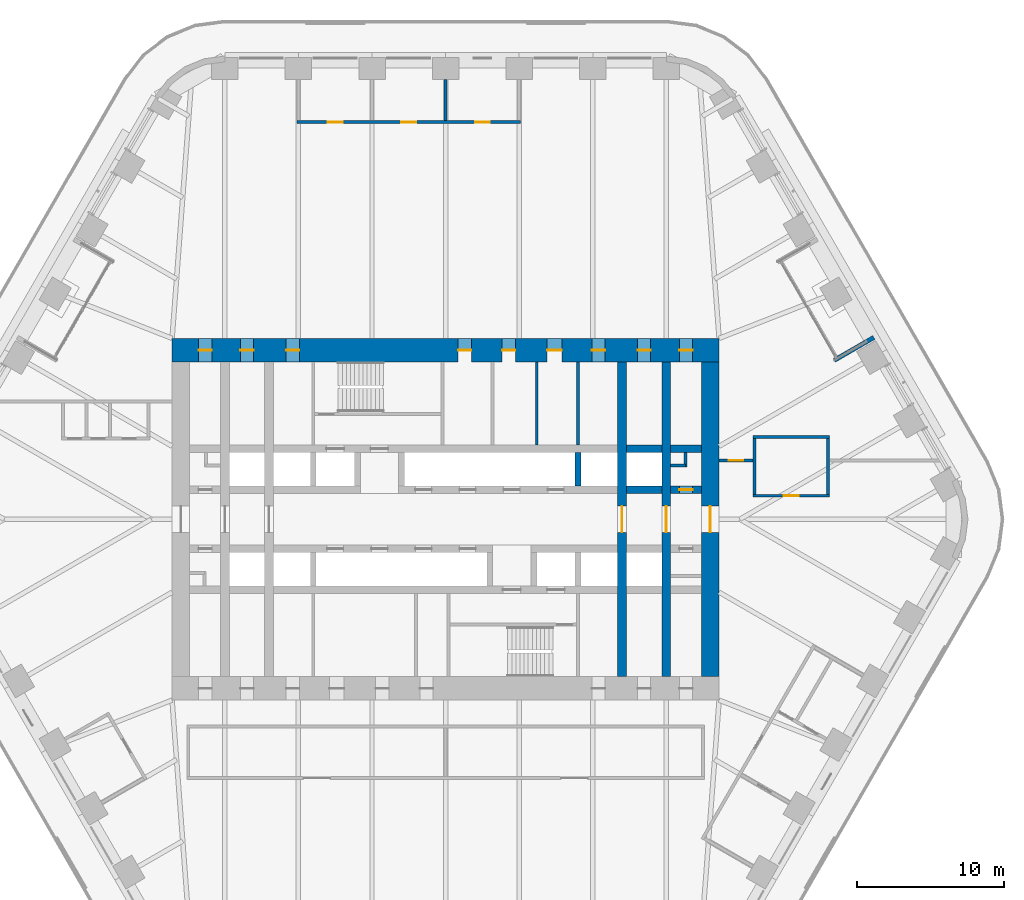
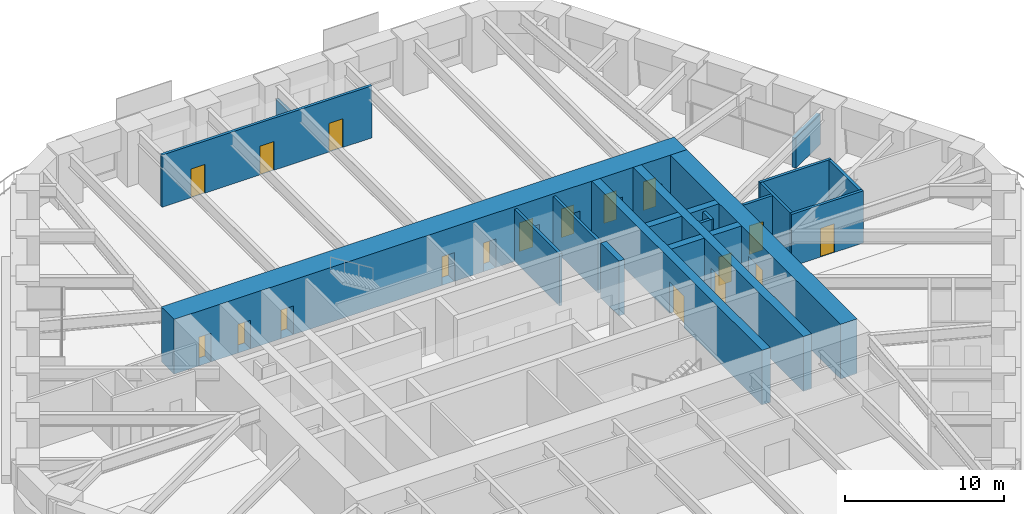
# One storey, part 20 of 24: 21 walls, 18 doors, 18 openings.
"""IFC4 building model written with IfcOpenShell, lengths in metres."""

from ifc_helpers import new_model, si_unit, direction, frame, frame_2d, origin, place, context, subcontext, project, spatial, rectangle, extrude, material, layer, layer_set, type_object, element, fill, save


model = new_model("IFC4")

# Units and contexts
model_context = context("Model", 3, precision=1e-05, world=origin(), true_north=direction((0.0, 1.0)))
body_context = subcontext(model_context, "Body", "Model", "MODEL_VIEW")
ifc_project = project(units=[si_unit("LENGTHUNIT", "METRE"), si_unit("AREAUNIT", "SQUARE_METRE"), si_unit("VOLUMEUNIT", "CUBIC_METRE"), si_unit("PLANEANGLEUNIT", "RADIAN"), si_unit("MASSUNIT", "GRAM", prefix="KILO")], contexts=[model_context])

# Site, building, storey
site_placement = place(None, origin())
site = spatial("IfcSite", under=ifc_project, at=site_placement, CompositionType="ELEMENT")
building_placement = place(site_placement, origin())
building = spatial("IfcBuilding", under=site, at=building_placement, Name="Tarfa Lantern Tower", CompositionType="ELEMENT")
storey_placement = place(building_placement, frame((0.0, 0.0, 127.89990234375)))
storey = spatial("IfcBuildingStorey", under=building, at=storey_placement, Name="L28", CompositionType="ELEMENT", Elevation=127.89990234375)

# Walls
ifc_material_1 = material(Name="Limestone cladding on blockwork", Category="masonry")
ifc_layer_1 = layer(ifc_material_1, 0.300048828125)
ifc_layer_set_1 = layer_set([ifc_layer_1], Name="EW1 STONE-CLAD WALL 300")
wall_type_1 = type_object("IfcWallType", Name="EW1 STONE-CLAD WALL 300", PredefinedType="SOLIDWALL", material=ifc_layer_set_1)
wall_1_placement = place(storey_placement, frame((29.1201171875, 12.362548828125, 0.0), z_axis=(0.0, 0.0, 1.0), x_axis=(-0.86602952684, -0.49999285859, 0.0)))
element("IfcWall", 1, at=wall_1_placement, inside=storey, type_object=wall_type_1, Name="Loggia return NE 1", PredefinedType="SOLIDWALL", context=body_context, shape_type="SweptSolid", body=[
    extrude(rectangle(XDim=3.10009765625, YDim=0.300048828125, at=frame_2d((1.550048828125, 0.0))), origin(), (0.0, 0.0, 1.0), 2.300048828125),
])
ifc_material_2 = material(Name="Concrete blockwork", Category="masonry")
ifc_layer_2 = layer(ifc_material_2, 0.199951171875)
ifc_layer_set_2 = layer_set([ifc_layer_2], Name="IW1 BLOCKWORK PARTITION 200 EI 120")
wall_type_2 = type_object("IfcWallType", Name="IW1 BLOCKWORK PARTITION 200 EI 120", PredefinedType="PARTITIONING", material=ifc_layer_set_2)
for number, where, z_axis, x_axis, name in (
    (2, (9.0, 5.050048828125, 0.0), (0.0, 0.0, 1.0), (0.0, 1.0, 0.0), "Core partition"),
    (3, (6.199951171875, 5.050048828125, 0.0), (0.0, 0.0, 1.0), (0.0, 1.0, 0.0), "Core partition"),
):
    element("IfcWall", number, at=place(storey_placement, frame(where, z_axis=z_axis, x_axis=x_axis)), inside=storey, type_object=wall_type_2, Name=name, PredefinedType="PARTITIONING", context=body_context, shape_type="SweptSolid", body=[
        extrude(rectangle(XDim=5.64990234375, YDim=0.199951171875, at=frame_2d((2.824951171875, 0.0))), origin(), (0.0, 0.0, 1.0), 4.0),
    ])
for number, where, z_axis, x_axis, name in (
    (4, (15.300048828125, 3.64990234375, 0.0), (0.0, 0.0, 1.0), (1.0, 0.0, 0.0), "Core partition"),
    (5, (16.300048828125, 3.550048828125, 0.0), (0.0, 0.0, 1.0), (0.0, 1.0, 0.0), "Core partition"),
):
    element("IfcWall", number, at=place(storey_placement, frame(where, z_axis=z_axis, x_axis=x_axis)), inside=storey, type_object=wall_type_2, Name=name, PredefinedType="PARTITIONING", context=body_context, shape_type="SweptSolid", body=[
        extrude(rectangle(XDim=1.0, YDim=0.199951171875, at=frame_2d((0.5, 0.0))), origin(), (0.0, 0.0, 1.0), 4.0),
    ])

# Wall, openings, doors
ifc_material_3 = material(Name="Gypsum board on steel studs", Category="steel")
ifc_layer_3 = layer(ifc_material_3, 0.2099609375)
ifc_layer_set_3 = layer_set([ifc_layer_3], Name="IW2 ACOUSTIC PARTITION 200")
wall_type_3 = type_object("IfcWallType", Name="IW2 ACOUSTIC PARTITION 200", PredefinedType="PARTITIONING", material=ifc_layer_set_3)
wall_2_placement = place(storey_placement, frame((5.103759765625, 27.0, 0.0), z_axis=(0.0, 0.0, 1.0), x_axis=(-1.0, 0.0, 0.0)))
wall_2 = element("IfcWall", 6, at=wall_2_placement, inside=storey, type_object=wall_type_3, Name="Partition", PredefinedType="PARTITIONING", context=body_context, shape_type="SweptSolid", body=[
    extrude(rectangle(XDim=15.211181640625, YDim=0.199951171875, at=frame_2d((7.60546875, 0.0))), origin(), (0.0, 0.0, 1.0), 4.0),
])
opening_1_placement = place(wall_2_placement, frame((2.101806640625, 0.0, 0.0)))
opening_1 = element("IfcOpeningElement", 7, at=opening_1_placement, cuts=wall_2, Name="Opening D34", PredefinedType="OPENING", context=body_context, shape_type="SweptSolid", body=[
    extrude(rectangle(XDim=1.0, YDim=2.199951171875, at=frame_2d((0.5, 1.10009765625))), frame((0.0, 0.10986328125, 0.0), z_axis=(0.0, -1.0, 0.0), x_axis=(1.0, 0.0, 0.0)), (0.0, 0.0, 1.0), 0.219970703125),
])
opening_2_placement = place(wall_2_placement, frame((7.10546875, 0.0, 0.0)))
opening_2 = element("IfcOpeningElement", 8, at=opening_2_placement, cuts=wall_2, Name="Opening D35", PredefinedType="OPENING", context=body_context, shape_type="SweptSolid", body=[
    extrude(rectangle(XDim=1.0, YDim=2.199951171875, at=frame_2d((0.5, 1.10009765625))), frame((0.0, 0.10986328125, 0.0), z_axis=(0.0, -1.0, 0.0), x_axis=(1.0, 0.0, 0.0)), (0.0, 0.0, 1.0), 0.219970703125),
])
opening_3_placement = place(wall_2_placement, frame((12.109375, 0.0, 0.0)))
opening_3 = element("IfcOpeningElement", 9, at=opening_3_placement, cuts=wall_2, Name="Opening D36", PredefinedType="OPENING", context=body_context, shape_type="SweptSolid", body=[
    extrude(rectangle(XDim=1.0, YDim=2.199951171875, at=frame_2d((0.5, 1.10009765625))), frame((0.0, 0.10986328125, 0.0), z_axis=(0.0, -1.0, 0.0), x_axis=(1.0, 0.0, 0.0)), (0.0, 0.0, 1.0), 0.219970703125),
])
ifc_material_4 = material(Name="Timber door", Category="wood")
door_type_1 = type_object("IfcDoorType", Name="DR1 ROOM DOOR 1000x2200", OperationType="SINGLE_SWING_LEFT", PredefinedType="DOOR", material=ifc_material_4)
door_1_placement = place(opening_1_placement, frame((1.0, 0.0, 0.0), z_axis=(0.0, 0.0, 1.0), x_axis=(-1.0, 0.0, 0.0)))
door_1 = element("IfcDoor", 10, at=door_1_placement, inside=storey, type_object=door_type_1, Name="Office door", OperationType="SINGLE_SWING_LEFT", OverallHeight=2.199951171875, OverallWidth=1.0, PredefinedType="DOOR", context=body_context, shape_type="SweptSolid", body=[
    extrude(rectangle(XDim=1.0, YDim=2.199951171875, at=frame_2d((0.5, 1.10009765625))), frame((0.0, 0.02490234375, 0.0), z_axis=(0.0, -1.0, 0.0), x_axis=(1.0, 0.0, 0.0)), (0.0, 0.0, 1.0), 0.050048828125),
])
fill(opening_1, door_1)
door_2_placement = place(opening_2_placement, frame((1.0, 0.0, 0.0), z_axis=(0.0, 0.0, 1.0), x_axis=(-1.0, 0.0, 0.0)))
door_2 = element("IfcDoor", 11, at=door_2_placement, inside=storey, type_object=door_type_1, Name="Office door", OperationType="SINGLE_SWING_LEFT", OverallHeight=2.199951171875, OverallWidth=1.0, PredefinedType="DOOR", context=body_context, shape_type="SweptSolid", body=[
    extrude(rectangle(XDim=1.0, YDim=2.199951171875, at=frame_2d((0.5, 1.10009765625))), frame((0.0, 0.02490234375, 0.0), z_axis=(0.0, -1.0, 0.0), x_axis=(1.0, 0.0, 0.0)), (0.0, 0.0, 1.0), 0.050048828125),
])
fill(opening_2, door_2)
door_3_placement = place(opening_3_placement, frame((1.0, 0.0, 0.0), z_axis=(0.0, 0.0, 1.0), x_axis=(-1.0, 0.0, 0.0)))
door_3 = element("IfcDoor", 12, at=door_3_placement, inside=storey, type_object=door_type_1, Name="Office door", OperationType="SINGLE_SWING_RIGHT", OverallHeight=2.199951171875, OverallWidth=1.0, PredefinedType="DOOR", context=body_context, shape_type="SweptSolid", body=[
    extrude(rectangle(XDim=1.0, YDim=2.199951171875, at=frame_2d((0.5, 1.10009765625))), frame((0.0, 0.02490234375, 0.0), z_axis=(0.0, -1.0, 0.0), x_axis=(1.0, 0.0, 0.0)), (0.0, 0.0, 1.0), 0.050048828125),
])
fill(opening_3, door_3)

# Wall
wall_3_placement = place(storey_placement, frame((0.0, 27.10009765625, 0.0), z_axis=(0.0, 0.0, 1.0), x_axis=(0.0, 1.0, 0.0)))
element("IfcWall", 13, at=wall_3_placement, inside=storey, type_object=wall_type_3, Name="Partition", PredefinedType="PARTITIONING", context=body_context, shape_type="SweptSolid", body=[
    extrude(rectangle(XDim=2.7998046875, YDim=0.199951171875, at=frame_2d((1.39990234375, 0.0))), origin(), (0.0, 0.0, 1.0), 2.991943359375),
])

# Wall, opening, door
wall_4_placement = place(storey_placement, frame((20.89990234375, 1.60009765625, 0.0), z_axis=(0.0, 0.0, 1.0), x_axis=(1.0, 0.0, 0.0)))
wall_4 = element("IfcWall", 14, at=wall_4_placement, inside=storey, type_object=wall_type_3, Name="Partition", PredefinedType="PARTITIONING", context=body_context, shape_type="SweptSolid", body=[
    extrude(rectangle(XDim=5.2001953125, YDim=0.199951171875, at=frame_2d((2.60009765625, 0.0))), origin(), (0.0, 0.0, 1.0), 4.0),
])
opening_4_placement = place(wall_4_placement, frame((2.10009765625, 0.0, 0.0)))
opening_4 = element("IfcOpeningElement", 15, at=opening_4_placement, cuts=wall_4, Name="Opening D33", PredefinedType="OPENING", context=body_context, shape_type="SweptSolid", body=[
    extrude(rectangle(XDim=1.0, YDim=2.199951171875, at=frame_2d((0.5, 1.10009765625))), frame((0.0, 0.10986328125, 0.0), z_axis=(0.0, -1.0, 0.0), x_axis=(1.0, 0.0, 0.0)), (0.0, 0.0, 1.0), 0.219970703125),
])
door_4_placement = place(opening_4_placement, origin())
door_4 = element("IfcDoor", 16, at=door_4_placement, inside=storey, type_object=door_type_1, Name="Pantry door", OperationType="SINGLE_SWING_RIGHT", OverallHeight=2.199951171875, OverallWidth=1.0, PredefinedType="DOOR", context=body_context, shape_type="SweptSolid", body=[
    extrude(rectangle(XDim=1.0, YDim=2.199951171875, at=frame_2d((0.5, 1.10009765625))), frame((0.0, 0.02490234375, 0.0), z_axis=(0.0, -1.0, 0.0), x_axis=(1.0, 0.0, 0.0)), (0.0, 0.0, 1.0), 0.050048828125),
])
fill(opening_4, door_4)

# Walls
wall_5_placement = place(storey_placement, frame((20.89990234375, 5.60009765625, 0.0), z_axis=(0.0, 0.0, 1.0), x_axis=(1.0, 0.0, 0.0)))
element("IfcWall", 17, at=wall_5_placement, inside=storey, type_object=wall_type_3, Name="Partition", PredefinedType="PARTITIONING", context=body_context, shape_type="SweptSolid", body=[
    extrude(rectangle(XDim=5.2001953125, YDim=0.199951171875, at=frame_2d((2.60009765625, 0.0))), origin(), (0.0, 0.0, 1.0), 4.0),
])
for number, where, z_axis, x_axis, name in (
    (18, (21.0, 1.699951171875, 0.0), (0.0, 0.0, 1.0), (0.0, 1.0, 0.0), "Partition"),
    (19, (26.0, 1.699951171875, 0.0), (0.0, 0.0, 1.0), (0.0, 1.0, 0.0), "Partition"),
):
    element("IfcWall", number, at=place(storey_placement, frame(where, z_axis=z_axis, x_axis=x_axis)), inside=storey, type_object=wall_type_3, Name=name, PredefinedType="PARTITIONING", context=body_context, shape_type="SweptSolid", body=[
        extrude(rectangle(XDim=3.800048828125, YDim=0.199951171875, at=frame_2d((1.89990234375, 0.0))), origin(), (0.0, 0.0, 1.0), 4.0),
    ])

# Wall, opening, door
wall_6_placement = place(storey_placement, frame((18.60009765625, 4.0, 0.0), z_axis=(0.0, 0.0, 1.0), x_axis=(1.0, 0.0, 0.0)))
wall_6 = element("IfcWall", 20, at=wall_6_placement, inside=storey, type_object=wall_type_3, Name="Partition", PredefinedType="PARTITIONING", context=body_context, shape_type="SweptSolid", body=[
    extrude(rectangle(XDim=2.2998046875, YDim=0.199951171875, at=frame_2d((1.14990234375, 0.0))), origin(), (0.0, 0.0, 1.0), 4.0),
])
opening_5_placement = place(wall_6_placement, frame((0.64990234375, 0.0, 0.0)))
opening_5 = element("IfcOpeningElement", 21, at=opening_5_placement, cuts=wall_6, Name="Opening D47", PredefinedType="OPENING", context=body_context, shape_type="SweptSolid", body=[
    extrude(rectangle(XDim=1.0, YDim=2.199951171875, at=frame_2d((0.5, 1.10009765625))), frame((0.0, 0.10986328125, 0.0), z_axis=(0.0, -1.0, 0.0), x_axis=(1.0, 0.0, 0.0)), (0.0, 0.0, 1.0), 0.219970703125),
])
door_5_placement = place(opening_5_placement, origin())
door_5 = element("IfcDoor", 22, at=door_5_placement, inside=storey, type_object=door_type_1, Name="Zone door", OperationType="SINGLE_SWING_LEFT", OverallHeight=2.199951171875, OverallWidth=1.0, PredefinedType="DOOR", context=body_context, shape_type="SweptSolid", body=[
    extrude(rectangle(XDim=1.0, YDim=2.199951171875, at=frame_2d((0.5, 1.10009765625))), frame((0.0, 0.02490234375, 0.0), z_axis=(0.0, -1.0, 0.0), x_axis=(1.0, 0.0, 0.0)), (0.0, 0.0, 1.0), 0.050048828125),
])
fill(opening_5, door_5)

ifc_material_5 = material(Name="Concrete C80/95", Category="concrete")
ifc_layer_4 = layer(ifc_material_5, 1.199951171875)
ifc_layer_set_4 = layer_set([ifc_layer_4], Name="SW1 CORE WALL 1200")
wall_type_4 = type_object("IfcWallType", Name="SW1 CORE WALL 1200", PredefinedType="SHEAR", material=ifc_layer_set_4)
wall_7_placement = place(storey_placement, frame((18.0, -10.699951171875, 0.0), z_axis=(0.0, 0.0, 1.0), x_axis=(0.0, 1.0, 0.0)))
wall_7 = element("IfcWall", 23, at=wall_7_placement, inside=storey, type_object=wall_type_4, Name="Core wall E", PredefinedType="SHEAR", context=body_context, shape_type="SweptSolid", body=[
    extrude(rectangle(XDim=21.39990234375, YDim=1.199951171875, at=frame_2d((10.699951171875, 0.0))), origin(), (0.0, 0.0, 1.0), 4.2001953125),
])
opening_6_placement = place(wall_7_placement, frame((9.800048828125, 0.0, 0.0)))
opening_6 = element("IfcOpeningElement", 24, at=opening_6_placement, cuts=wall_7, Name="Opening D15", PredefinedType="OPENING", context=body_context, shape_type="SweptSolid", body=[
    extrude(rectangle(XDim=1.800048828125, YDim=2.39990234375, at=frame_2d((0.89990234375, 1.199951171875))), frame((0.0, 0.60986328125, 0.0), z_axis=(0.0, -1.0, 0.0), x_axis=(1.0, 0.0, 0.0)), (0.0, 0.0, 1.0), 1.219970703125),
])
ifc_material_6 = material(Name="Steel fire door", Category="steel")
door_type_2 = type_object("IfcDoorType", Name="DL1 LOBBY DOOR 1800x2400", OperationType="DOUBLE_DOOR_SINGLE_SWING", PredefinedType="DOOR", material=ifc_material_6)
door_6_placement = place(opening_6_placement, frame((1.800048828125, 0.0, 0.0), z_axis=(0.0, 0.0, 1.0), x_axis=(-1.0, 0.0, 0.0)))
door_6 = element("IfcDoor", 25, at=door_6_placement, inside=storey, type_object=door_type_2, Name="Lift lobby door", OperationType="DOUBLE_DOOR_SINGLE_SWING", OverallHeight=2.39990234375, OverallWidth=1.800048828125, PredefinedType="DOOR", context=body_context, shape_type="SweptSolid", body=[
    extrude(rectangle(XDim=1.800048828125, YDim=2.39990234375, at=frame_2d((0.89990234375, 1.199951171875))), frame((0.0, 0.02490234375, 0.0), z_axis=(0.0, -1.0, 0.0), x_axis=(1.0, 0.0, 0.0)), (0.0, 0.0, 1.0), 0.050048828125),
])
fill(opening_6, door_6)

# Wall
ifc_layer_5 = layer(ifc_material_5, 0.5)
ifc_layer_set_5 = layer_set([ifc_layer_5], Name="SW5 CORE WALL 500")
wall_type_5 = type_object("IfcWallType", Name="SW5 CORE WALL 500", PredefinedType="SHEAR", material=ifc_layer_set_5)
wall_8_placement = place(storey_placement, frame((12.300048828125, 2.0, 0.0), z_axis=(0.0, 0.0, 1.0), x_axis=(1.0, 0.0, 0.0)))
element("IfcWall", 26, at=wall_8_placement, inside=storey, type_object=wall_type_5, Name="Core wall lobby east N", PredefinedType="SHEAR", context=body_context, shape_type="SweptSolid", body=[
    extrude(rectangle(XDim=2.39990234375, YDim=0.5, at=frame_2d((1.199951171875, 0.0))), origin(), (0.0, 0.0, 1.0), 4.2001953125),
])

# Wall, opening, door
wall_9_placement = place(storey_placement, frame((15.300048828125, 2.0, 0.0), z_axis=(0.0, 0.0, 1.0), x_axis=(1.0, 0.0, 0.0)))
wall_9 = element("IfcWall", 27, at=wall_9_placement, inside=storey, type_object=wall_type_5, Name="Core wall lobby east N", PredefinedType="SHEAR", context=body_context, shape_type="SweptSolid", body=[
    extrude(rectangle(XDim=2.099853515625, YDim=0.5, at=frame_2d((1.0498046875, 0.0))), origin(), (0.0, 0.0, 1.0), 4.2001953125),
])
opening_7_placement = place(wall_9_placement, frame((0.60009765625, 0.0, 0.0)))
opening_7 = element("IfcOpeningElement", 28, at=opening_7_placement, cuts=wall_9, Name="Opening D17", PredefinedType="OPENING", context=body_context, shape_type="SweptSolid", body=[
    extrude(rectangle(XDim=0.89990234375, YDim=2.199951171875, at=frame_2d((0.449951171875, 1.10009765625))), frame((0.0, 0.260009765625, 0.0), z_axis=(0.0, -1.0, 0.0), x_axis=(1.0, 0.0, 0.0)), (0.0, 0.0, 1.0), 0.52001953125),
])
door_type_3 = type_object("IfcDoorType", Name="DF6 SERVICE ROOM DOOR 900x2200", OperationType="SINGLE_SWING_LEFT", PredefinedType="DOOR", material=ifc_material_6)
door_7_placement = place(opening_7_placement, origin())
door_7 = element("IfcDoor", 29, at=door_7_placement, inside=storey, type_object=door_type_3, Name="Service room door", OperationType="SINGLE_SWING_LEFT", OverallHeight=2.199951171875, OverallWidth=0.89990234375, PredefinedType="DOOR", context=body_context, shape_type="SweptSolid", body=[
    extrude(rectangle(XDim=0.89990234375, YDim=2.199951171875, at=frame_2d((0.449951171875, 1.10009765625))), frame((0.0, 0.02490234375, 0.0), z_axis=(0.0, -1.0, 0.0), x_axis=(1.0, 0.0, 0.0)), (0.0, 0.0, 1.0), 0.050048828125),
])
fill(opening_7, door_7)

# Walls
wall_10_placement = place(storey_placement, frame((12.300048828125, 4.800048828125, 0.0), z_axis=(0.0, 0.0, 1.0), x_axis=(1.0, 0.0, 0.0)))
element("IfcWall", 30, at=wall_10_placement, inside=storey, type_object=wall_type_5, Name="Core wall rear N", PredefinedType="SHEAR", context=body_context, shape_type="SweptSolid", body=[
    extrude(rectangle(XDim=2.39990234375, YDim=0.5, at=frame_2d((1.199951171875, 0.0))), origin(), (0.0, 0.0, 1.0), 4.2001953125),
])
wall_11_placement = place(storey_placement, frame((15.300048828125, 4.800048828125, 0.0), z_axis=(0.0, 0.0, 1.0), x_axis=(1.0, 0.0, 0.0)))
element("IfcWall", 31, at=wall_11_placement, inside=storey, type_object=wall_type_5, Name="Core wall rear N", PredefinedType="SHEAR", context=body_context, shape_type="SweptSolid", body=[
    extrude(rectangle(XDim=2.099853515625, YDim=0.5, at=frame_2d((1.0498046875, 0.0))), origin(), (0.0, 0.0, 1.0), 4.2001953125),
])
ifc_layer_6 = layer(ifc_material_5, 0.39990234375)
ifc_layer_set_6 = layer_set([ifc_layer_6], Name="SW6 CORE WALL 400")
wall_type_6 = type_object("IfcWallType", Name="SW6 CORE WALL 400", PredefinedType="SHEAR", material=ifc_layer_set_6)
wall_12_placement = place(storey_placement, frame((9.0, 2.25, 0.0), z_axis=(0.0, 0.0, 1.0), x_axis=(0.0, 1.0, 0.0)))
element("IfcWall", 32, at=wall_12_placement, inside=storey, type_object=wall_type_6, Name="Core wall divider N", PredefinedType="SHEAR", context=body_context, shape_type="SweptSolid", body=[
    extrude(rectangle(XDim=2.300048828125, YDim=0.39990234375, at=frame_2d((1.14990234375, 0.0))), origin(), (0.0, 0.0, 1.0), 4.2001953125),
])

# Wall, openings, doors
ifc_layer_7 = layer(ifc_material_5, 1.60009765625)
ifc_layer_set_7 = layer_set([ifc_layer_7], Name="SW7 CORE WALL 1600")
wall_type_7 = type_object("IfcWallType", Name="SW7 CORE WALL 1600", PredefinedType="SHEAR", material=ifc_layer_set_7)
wall_13_placement = place(storey_placement, frame((-18.60009765625, 11.5, 0.0), z_axis=(0.0, 0.0, 1.0), x_axis=(1.0, 0.0, 0.0)))
wall_13 = element("IfcWall", 33, at=wall_13_placement, inside=storey, type_object=wall_type_7, Name="Core wall N", PredefinedType="SHEAR", context=body_context, shape_type="SweptSolid", body=[
    extrude(rectangle(XDim=37.2001953125, YDim=1.60009765625, at=frame_2d((18.60009765625, 0.0))), origin(), (0.0, 0.0, 1.0), 4.2001953125),
])
opening_8_placement = place(wall_13_placement, frame((19.449951171875, 0.0, 0.0)))
opening_8 = element("IfcOpeningElement", 34, at=opening_8_placement, cuts=wall_13, Name="Opening D21", PredefinedType="OPENING", context=body_context, shape_type="SweptSolid", body=[
    extrude(rectangle(XDim=0.89990234375, YDim=2.199951171875, at=frame_2d((0.449951171875, 1.10009765625))), frame((0.0, 0.81005859375, 0.0), z_axis=(0.0, -1.0, 0.0), x_axis=(1.0, 0.0, 0.0)), (0.0, 0.0, 1.0), 1.6201171875),
])
opening_9_placement = place(wall_13_placement, frame((22.449951171875, 0.0, 0.0)))
opening_9 = element("IfcOpeningElement", 35, at=opening_9_placement, cuts=wall_13, Name="Opening D23", PredefinedType="OPENING", context=body_context, shape_type="SweptSolid", body=[
    extrude(rectangle(XDim=0.89990234375, YDim=2.199951171875, at=frame_2d((0.449951171875, 1.10009765625))), frame((0.0, 0.81005859375, 0.0), z_axis=(0.0, -1.0, 0.0), x_axis=(1.0, 0.0, 0.0)), (0.0, 0.0, 1.0), 1.6201171875),
])
opening_10_placement = place(wall_13_placement, frame((25.5, 0.0, 0.0)))
opening_10 = element("IfcOpeningElement", 36, at=opening_10_placement, cuts=wall_13, Name="Opening D25", PredefinedType="OPENING", context=body_context, shape_type="SweptSolid", body=[
    extrude(rectangle(XDim=1.0, YDim=2.199951171875, at=frame_2d((0.5, 1.10009765625))), frame((0.0, 0.81005859375, 0.0), z_axis=(0.0, -1.0, 0.0), x_axis=(1.0, 0.0, 0.0)), (0.0, 0.0, 1.0), 1.6201171875),
])
opening_11_placement = place(wall_13_placement, frame((1.800048828125, 0.0, 0.0)))
opening_11 = element("IfcOpeningElement", 37, at=opening_11_placement, cuts=wall_13, Name="Opening D11", PredefinedType="OPENING", context=body_context, shape_type="SweptSolid", body=[
    extrude(rectangle(XDim=0.89990234375, YDim=2.199951171875, at=frame_2d((0.449951171875, 1.10009765625))), frame((0.0, 0.81005859375, 0.0), z_axis=(0.0, -1.0, 0.0), x_axis=(1.0, 0.0, 0.0)), (0.0, 0.0, 1.0), 1.6201171875),
])
opening_12_placement = place(wall_13_placement, frame((4.64990234375, 0.0, 0.0)))
opening_12 = element("IfcOpeningElement", 38, at=opening_12_placement, cuts=wall_13, Name="Opening D07", PredefinedType="OPENING", context=body_context, shape_type="SweptSolid", body=[
    extrude(rectangle(XDim=0.89990234375, YDim=2.199951171875, at=frame_2d((0.449951171875, 1.10009765625))), frame((0.0, 0.81005859375, 0.0), z_axis=(0.0, -1.0, 0.0), x_axis=(1.0, 0.0, 0.0)), (0.0, 0.0, 1.0), 1.6201171875),
])
opening_13_placement = place(wall_13_placement, frame((7.75, 0.0, 0.0)))
opening_13 = element("IfcOpeningElement", 39, at=opening_13_placement, cuts=wall_13, Name="Opening D09", PredefinedType="OPENING", context=body_context, shape_type="SweptSolid", body=[
    extrude(rectangle(XDim=0.89990234375, YDim=2.199951171875, at=frame_2d((0.449951171875, 1.10009765625))), frame((0.0, 0.81005859375, 0.0), z_axis=(0.0, -1.0, 0.0), x_axis=(1.0, 0.0, 0.0)), (0.0, 0.0, 1.0), 1.6201171875),
])
opening_14_placement = place(wall_13_placement, frame((28.550048828125, 0.0, 0.0)))
opening_14 = element("IfcOpeningElement", 40, at=opening_14_placement, cuts=wall_13, Name="Opening D05", PredefinedType="OPENING", context=body_context, shape_type="SweptSolid", body=[
    extrude(rectangle(XDim=0.89990234375, YDim=2.199951171875, at=frame_2d((0.449951171875, 1.10009765625))), frame((0.0, 0.81005859375, 0.0), z_axis=(0.0, -1.0, 0.0), x_axis=(1.0, 0.0, 0.0)), (0.0, 0.0, 1.0), 1.6201171875),
])
opening_15_placement = place(wall_13_placement, frame((31.64990234375, 0.0, 0.0)))
opening_15 = element("IfcOpeningElement", 41, at=opening_15_placement, cuts=wall_13, Name="Opening D01", PredefinedType="OPENING", context=body_context, shape_type="SweptSolid", body=[
    extrude(rectangle(XDim=0.89990234375, YDim=2.199951171875, at=frame_2d((0.449951171875, 1.10009765625))), frame((0.0, 0.81005859375, 0.0), z_axis=(0.0, -1.0, 0.0), x_axis=(1.0, 0.0, 0.0)), (0.0, 0.0, 1.0), 1.6201171875),
])
opening_16_placement = place(wall_13_placement, frame((34.5, 0.0, 0.0)))
opening_16 = element("IfcOpeningElement", 42, at=opening_16_placement, cuts=wall_13, Name="Opening D03", PredefinedType="OPENING", context=body_context, shape_type="SweptSolid", body=[
    extrude(rectangle(XDim=0.89990234375, YDim=2.199951171875, at=frame_2d((0.449951171875, 1.10009765625))), frame((0.0, 0.81005859375, 0.0), z_axis=(0.0, -1.0, 0.0), x_axis=(1.0, 0.0, 0.0)), (0.0, 0.0, 1.0), 1.6201171875),
])
door_type_4 = type_object("IfcDoorType", Name="DF3 CORE ROOM DOOR 900x2200", OperationType="SINGLE_SWING_LEFT", PredefinedType="DOOR", material=ifc_material_6)
door_8_placement = place(opening_8_placement, frame((0.89990234375, 0.0, 0.0), z_axis=(0.0, 0.0, 1.0), x_axis=(-1.0, 0.0, 0.0)))
door_8 = element("IfcDoor", 43, at=door_8_placement, inside=storey, type_object=door_type_4, Name="Core door", OperationType="SINGLE_SWING_LEFT", OverallHeight=2.199951171875, OverallWidth=0.89990234375, PredefinedType="DOOR", context=body_context, shape_type="SweptSolid", body=[
    extrude(rectangle(XDim=0.89990234375, YDim=2.199951171875, at=frame_2d((0.449951171875, 1.10009765625))), frame((0.0, 0.02490234375, 0.0), z_axis=(0.0, -1.0, 0.0), x_axis=(1.0, 0.0, 0.0)), (0.0, 0.0, 1.0), 0.050048828125),
])
fill(opening_8, door_8)
door_9_placement = place(opening_9_placement, frame((0.89990234375, 0.0, 0.0), z_axis=(0.0, 0.0, 1.0), x_axis=(-1.0, 0.0, 0.0)))
door_9 = element("IfcDoor", 44, at=door_9_placement, inside=storey, type_object=door_type_4, Name="Core door", OperationType="SINGLE_SWING_LEFT", OverallHeight=2.199951171875, OverallWidth=0.89990234375, PredefinedType="DOOR", context=body_context, shape_type="SweptSolid", body=[
    extrude(rectangle(XDim=0.89990234375, YDim=2.199951171875, at=frame_2d((0.449951171875, 1.10009765625))), frame((0.0, 0.02490234375, 0.0), z_axis=(0.0, -1.0, 0.0), x_axis=(1.0, 0.0, 0.0)), (0.0, 0.0, 1.0), 0.050048828125),
])
fill(opening_9, door_9)
door_type_5 = type_object("IfcDoorType", Name="DF4 CORE ROOM DOOR 1000x2200", OperationType="SINGLE_SWING_LEFT", PredefinedType="DOOR", material=ifc_material_6)
door_10_placement = place(opening_10_placement, frame((1.0, 0.0, 0.0), z_axis=(0.0, 0.0, 1.0), x_axis=(-1.0, 0.0, 0.0)))
door_10 = element("IfcDoor", 45, at=door_10_placement, inside=storey, type_object=door_type_5, Name="Core door", OperationType="SINGLE_SWING_LEFT", OverallHeight=2.199951171875, OverallWidth=1.0, PredefinedType="DOOR", context=body_context, shape_type="SweptSolid", body=[
    extrude(rectangle(XDim=1.0, YDim=2.199951171875, at=frame_2d((0.5, 1.10009765625))), frame((0.0, 0.02490234375, 0.0), z_axis=(0.0, -1.0, 0.0), x_axis=(1.0, 0.0, 0.0)), (0.0, 0.0, 1.0), 0.050048828125),
])
fill(opening_10, door_10)
door_type_6 = type_object("IfcDoorType", Name="DF5 RISER DOOR 900x2200", OperationType="SINGLE_SWING_LEFT", PredefinedType="DOOR", material=ifc_material_6)
door_11_placement = place(opening_11_placement, frame((0.89990234375, 0.0, 0.0), z_axis=(0.0, 0.0, 1.0), x_axis=(-1.0, 0.0, 0.0)))
door_11 = element("IfcDoor", 46, at=door_11_placement, inside=storey, type_object=door_type_6, Name="Riser door", OperationType="SINGLE_SWING_LEFT", OverallHeight=2.199951171875, OverallWidth=0.89990234375, PredefinedType="DOOR", context=body_context, shape_type="SweptSolid", body=[
    extrude(rectangle(XDim=0.89990234375, YDim=2.199951171875, at=frame_2d((0.449951171875, 1.10009765625))), frame((0.0, 0.02490234375, 0.0), z_axis=(0.0, -1.0, 0.0), x_axis=(1.0, 0.0, 0.0)), (0.0, 0.0, 1.0), 0.050048828125),
])
fill(opening_11, door_11)
door_12_placement = place(opening_12_placement, frame((0.89990234375, 0.0, 0.0), z_axis=(0.0, 0.0, 1.0), x_axis=(-1.0, 0.0, 0.0)))
door_12 = element("IfcDoor", 47, at=door_12_placement, inside=storey, type_object=door_type_6, Name="Riser door", OperationType="SINGLE_SWING_LEFT", OverallHeight=2.199951171875, OverallWidth=0.89990234375, PredefinedType="DOOR", context=body_context, shape_type="SweptSolid", body=[
    extrude(rectangle(XDim=0.89990234375, YDim=2.199951171875, at=frame_2d((0.449951171875, 1.10009765625))), frame((0.0, 0.02490234375, 0.0), z_axis=(0.0, -1.0, 0.0), x_axis=(1.0, 0.0, 0.0)), (0.0, 0.0, 1.0), 0.050048828125),
])
fill(opening_12, door_12)
door_13_placement = place(opening_13_placement, frame((0.89990234375, 0.0, 0.0), z_axis=(0.0, 0.0, 1.0), x_axis=(-1.0, 0.0, 0.0)))
door_13 = element("IfcDoor", 48, at=door_13_placement, inside=storey, type_object=door_type_6, Name="Riser door", OperationType="SINGLE_SWING_LEFT", OverallHeight=2.199951171875, OverallWidth=0.89990234375, PredefinedType="DOOR", context=body_context, shape_type="SweptSolid", body=[
    extrude(rectangle(XDim=0.89990234375, YDim=2.199951171875, at=frame_2d((0.449951171875, 1.10009765625))), frame((0.0, 0.02490234375, 0.0), z_axis=(0.0, -1.0, 0.0), x_axis=(1.0, 0.0, 0.0)), (0.0, 0.0, 1.0), 0.050048828125),
])
fill(opening_13, door_13)
door_14_placement = place(opening_14_placement, frame((0.89990234375, 0.0, 0.0), z_axis=(0.0, 0.0, 1.0), x_axis=(-1.0, 0.0, 0.0)))
door_14 = element("IfcDoor", 49, at=door_14_placement, inside=storey, type_object=door_type_6, Name="Riser door", OperationType="SINGLE_SWING_RIGHT", OverallHeight=2.199951171875, OverallWidth=0.89990234375, PredefinedType="DOOR", context=body_context, shape_type="SweptSolid", body=[
    extrude(rectangle(XDim=0.89990234375, YDim=2.199951171875, at=frame_2d((0.449951171875, 1.10009765625))), frame((0.0, 0.02490234375, 0.0), z_axis=(0.0, -1.0, 0.0), x_axis=(1.0, 0.0, 0.0)), (0.0, 0.0, 1.0), 0.050048828125),
])
fill(opening_14, door_14)
door_15_placement = place(opening_15_placement, frame((0.89990234375, 0.0, 0.0), z_axis=(0.0, 0.0, 1.0), x_axis=(-1.0, 0.0, 0.0)))
door_15 = element("IfcDoor", 50, at=door_15_placement, inside=storey, type_object=door_type_6, Name="Riser door", OperationType="SINGLE_SWING_RIGHT", OverallHeight=2.199951171875, OverallWidth=0.89990234375, PredefinedType="DOOR", context=body_context, shape_type="SweptSolid", body=[
    extrude(rectangle(XDim=0.89990234375, YDim=2.199951171875, at=frame_2d((0.449951171875, 1.10009765625))), frame((0.0, 0.02490234375, 0.0), z_axis=(0.0, -1.0, 0.0), x_axis=(1.0, 0.0, 0.0)), (0.0, 0.0, 1.0), 0.050048828125),
])
fill(opening_15, door_15)
door_16_placement = place(opening_16_placement, frame((0.89990234375, 0.0, 0.0), z_axis=(0.0, 0.0, 1.0), x_axis=(-1.0, 0.0, 0.0)))
door_16 = element("IfcDoor", 51, at=door_16_placement, inside=storey, type_object=door_type_6, Name="Riser door", OperationType="SINGLE_SWING_RIGHT", OverallHeight=2.199951171875, OverallWidth=0.89990234375, PredefinedType="DOOR", context=body_context, shape_type="SweptSolid", body=[
    extrude(rectangle(XDim=0.89990234375, YDim=2.199951171875, at=frame_2d((0.449951171875, 1.10009765625))), frame((0.0, 0.02490234375, 0.0), z_axis=(0.0, -1.0, 0.0), x_axis=(1.0, 0.0, 0.0)), (0.0, 0.0, 1.0), 0.050048828125),
])
fill(opening_16, door_16)

# Wall, opening, door
ifc_layer_8 = layer(ifc_material_5, 0.60009765625)
ifc_layer_set_8 = layer_set([ifc_layer_8], Name="SW9 CORE WALL 600")
wall_type_8 = type_object("IfcWallType", Name="SW9 CORE WALL 600", PredefinedType="SHEAR", material=ifc_layer_set_8)
wall_14_placement = place(storey_placement, frame((12.0, -10.699951171875, 0.0), z_axis=(0.0, 0.0, 1.0), x_axis=(0.0, 1.0, 0.0)))
wall_14 = element("IfcWall", 52, at=wall_14_placement, inside=storey, type_object=wall_type_8, Name="Core wall cross 12 m east", PredefinedType="SHEAR", context=body_context, shape_type="SweptSolid", body=[
    extrude(rectangle(XDim=21.39990234375, YDim=0.60009765625, at=frame_2d((10.699951171875, 0.0))), origin(), (0.0, 0.0, 1.0), 4.2001953125),
])
opening_17_placement = place(wall_14_placement, frame((9.800048828125, 0.0, 0.0)))
opening_17 = element("IfcOpeningElement", 53, at=opening_17_placement, cuts=wall_14, Name="Opening D29", PredefinedType="OPENING", context=body_context, shape_type="SweptSolid", body=[
    extrude(rectangle(XDim=1.800048828125, YDim=2.39990234375, at=frame_2d((0.89990234375, 1.199951171875))), frame((0.0, 0.31005859375, 0.0), z_axis=(0.0, -1.0, 0.0), x_axis=(1.0, 0.0, 0.0)), (0.0, 0.0, 1.0), 0.6201171875),
])
door_17_placement = place(opening_17_placement, origin())
door_17 = element("IfcDoor", 54, at=door_17_placement, inside=storey, type_object=door_type_2, Name="Lift lobby door", OperationType="DOUBLE_DOOR_SINGLE_SWING", OverallHeight=2.39990234375, OverallWidth=1.800048828125, PredefinedType="DOOR", context=body_context, shape_type="SweptSolid", body=[
    extrude(rectangle(XDim=1.800048828125, YDim=2.39990234375, at=frame_2d((0.89990234375, 1.199951171875))), frame((0.0, 0.02490234375, 0.0), z_axis=(0.0, -1.0, 0.0), x_axis=(1.0, 0.0, 0.0)), (0.0, 0.0, 1.0), 0.050048828125),
])
fill(opening_17, door_17)

wall_15_placement = place(storey_placement, frame((15.0, -10.699951171875, 0.0), z_axis=(0.0, 0.0, 1.0), x_axis=(0.0, 1.0, 0.0)))
wall_15 = element("IfcWall", 55, at=wall_15_placement, inside=storey, type_object=wall_type_8, Name="Core wall cross 15 m east", PredefinedType="SHEAR", context=body_context, shape_type="SweptSolid", body=[
    extrude(rectangle(XDim=21.39990234375, YDim=0.60009765625, at=frame_2d((10.699951171875, 0.0))), origin(), (0.0, 0.0, 1.0), 4.2001953125),
])
opening_18_placement = place(wall_15_placement, frame((9.800048828125, 0.0, 0.0)))
opening_18 = element("IfcOpeningElement", 56, at=opening_18_placement, cuts=wall_15, Name="Opening D30", PredefinedType="OPENING", context=body_context, shape_type="SweptSolid", body=[
    extrude(rectangle(XDim=1.800048828125, YDim=2.39990234375, at=frame_2d((0.89990234375, 1.199951171875))), frame((0.0, 0.31005859375, 0.0), z_axis=(0.0, -1.0, 0.0), x_axis=(1.0, 0.0, 0.0)), (0.0, 0.0, 1.0), 0.6201171875),
])
door_18_placement = place(opening_18_placement, origin())
door_18 = element("IfcDoor", 57, at=door_18_placement, inside=storey, type_object=door_type_2, Name="Lift lobby door", OperationType="DOUBLE_DOOR_SINGLE_SWING", OverallHeight=2.39990234375, OverallWidth=1.800048828125, PredefinedType="DOOR", context=body_context, shape_type="SweptSolid", body=[
    extrude(rectangle(XDim=1.800048828125, YDim=2.39990234375, at=frame_2d((0.89990234375, 1.199951171875))), frame((0.0, 0.02490234375, 0.0), z_axis=(0.0, -1.0, 0.0), x_axis=(1.0, 0.0, 0.0)), (0.0, 0.0, 1.0), 0.050048828125),
])
fill(opening_18, door_18)

save(model, "model.ifc")
